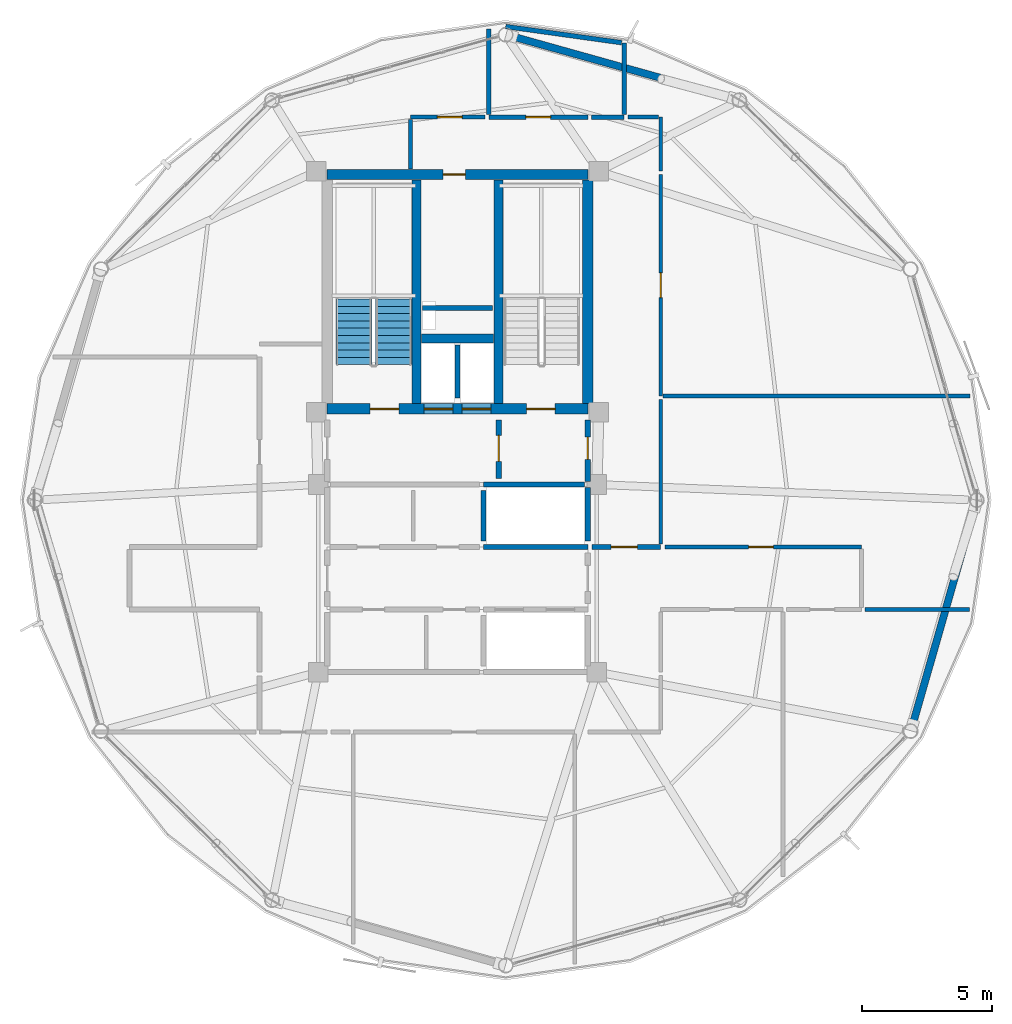
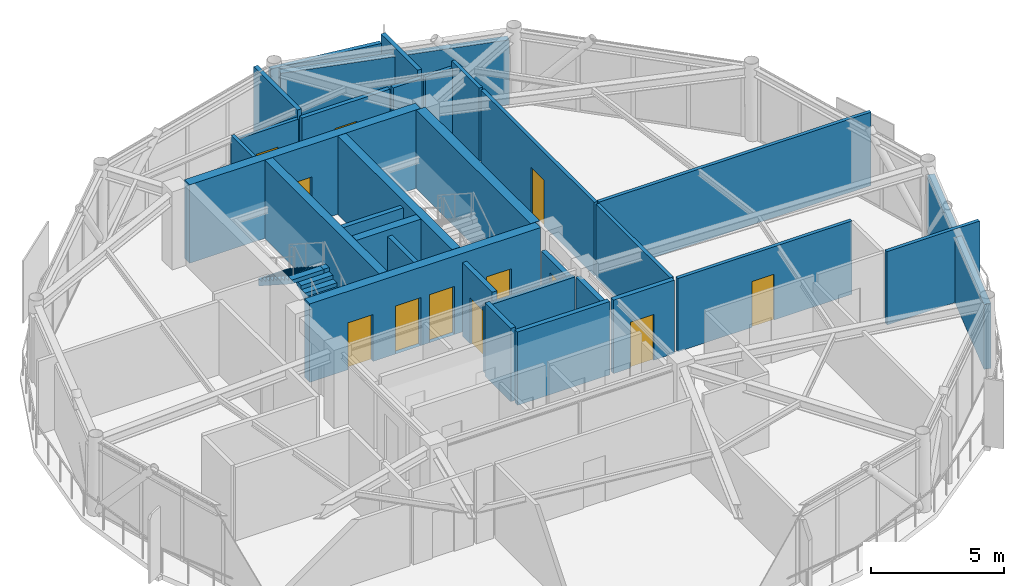
# One storey, part 21 of 26: 31 walls, 12 doors, 2 stair flights, 12 openings, 1 element without a shape of its own.
"""IFC4 building model written with IfcOpenShell, lengths in metres."""

import ifcopenshell
import ifcopenshell.guid

model = None  # the IFC model being written
_history = None  # IfcOwnerHistory: only IFC2X3 demands one
_inside = {}  # id of a spatial element -> (the spatial element, [elements in it])
_under = {}  # id of a project, library or spatial element -> (it, [spatial elements below it])
_declared = {}  # id of a project -> (the project, [libraries it declares])
_typed = {}  # id of a type object -> (the type object, [elements of that type])
_made_of = {}  # id of a material, layer set ... -> (it, [elements and type objects made of it])


def new_model(schema):
    """Start an empty IFC model of exactly this schema.

    Asked for "IFC4X3", IfcOpenShell would pick the latest addendum, in which some entities
    have other attributes; the version numbers below select the first issue.
    IFC2X3 requires an IfcOwnerHistory on every rooted entity: one is made here for all.
    """
    global model, _history
    if schema == "IFC4X3":
        model = ifcopenshell.file(schema_version=(4, 3, 0, 0))
    else:
        model = ifcopenshell.file(schema=schema)
    _inside.clear()
    _under.clear()
    _declared.clear()
    _typed.clear()
    _made_of.clear()
    _history = None
    if model.schema == "IFC2X3":
        org = make("IfcOrganization", Name="unknown")
        user = make(
            "IfcPersonAndOrganization",
            ThePerson=make("IfcPerson", FamilyName="unknown"),
            TheOrganization=org,
        )
        app = make(
            "IfcApplication",
            ApplicationDeveloper=org,
            Version="unknown",
            ApplicationFullName="unknown",
            ApplicationIdentifier="unknown",
        )
        _history = make(
            "IfcOwnerHistory",
            OwningUser=user,
            OwningApplication=app,
            ChangeAction="ADDED",
            CreationDate=0,
        )
    return model


def make(cls, **values):
    """One entity of the class cls with the attributes given. An attribute that is None is left unset."""
    return model.create_entity(
        cls, **{name: value for name, value in values.items() if value is not None}
    )


def rooted(cls, **values):
    """An entity with a GlobalId (a new one), such as an element, a storey or a relation."""
    return make(cls, GlobalId=ifcopenshell.guid.new(), OwnerHistory=_history, **values)


def si_unit(unit_type, name, prefix=None):
    """IfcSIUnit, for example si_unit("LENGTHUNIT", "METRE", prefix="MILLI")."""
    return make("IfcSIUnit", UnitType=unit_type, Prefix=prefix, Name=name)


def assignment(units):
    """IfcUnitAssignment: the units of a project."""
    return None if units is None else make("IfcUnitAssignment", Units=units)


def point(xyz):
    """IfcCartesianPoint."""
    return None if xyz is None else make("IfcCartesianPoint", Coordinates=xyz)


def direction(xyz):
    """IfcDirection."""
    return None if xyz is None else make("IfcDirection", DirectionRatios=xyz)


def frame(location, z_axis=None, x_axis=None):
    """IfcAxis2Placement3D, a coordinate frame: its origin and axes. An axis left out is left unset."""
    return make(
        "IfcAxis2Placement3D",
        Location=point(location),
        Axis=direction(z_axis),
        RefDirection=direction(x_axis),
    )


def frame_2d(location, x_axis=None):
    """IfcAxis2Placement2D, a coordinate frame in the plane: its origin and x axis."""
    return make(
        "IfcAxis2Placement2D", Location=point(location), RefDirection=direction(x_axis)
    )


def origin():
    """The frame at (0, 0, 0) with its axes left unset."""
    return frame((0.0, 0.0, 0.0))


def place(relative_to, where):
    """IfcLocalPlacement: puts the frame where relative to a parent placement (None: the world)."""
    return make(
        "IfcLocalPlacement", PlacementRelTo=relative_to, RelativePlacement=where
    )


def context(
    kind, dimensions, precision=None, world=None, true_north=None, identifier=None
):
    """IfcGeometricRepresentationContext, for example the 3D "Model" context."""
    return make(
        "IfcGeometricRepresentationContext",
        ContextIdentifier=identifier,
        ContextType=kind,
        CoordinateSpaceDimension=dimensions,
        Precision=precision,
        WorldCoordinateSystem=world,
        TrueNorth=true_north,
    )


def subcontext(parent, identifier, kind, view, scale=None):
    """IfcGeometricRepresentationSubContext, for example "Body" below "Model"."""
    return make(
        "IfcGeometricRepresentationSubContext",
        ContextIdentifier=identifier,
        ContextType=kind,
        ParentContext=parent,
        TargetScale=scale,
        TargetView=view,
    )


def project(units=None, contexts=None):
    """IfcProject with its units and contexts."""
    return rooted(
        "IfcProject",
        Name="project",
        RepresentationContexts=contexts,
        UnitsInContext=assignment(units),
    )


def spatial(cls, under=None, at=None, **own):
    """A site, building, storey or space (cls), placed at a placement, below another one or the project."""
    s = rooted(cls, ObjectPlacement=at, **own)
    if under is not None:
        _under.setdefault(under.id(), (under, []))[1].append(s)
    return s


def polyline(points):
    """IfcPolyline through the points."""
    return make("IfcPolyline", Points=[point(p) for p in points])


def profile(cls, at=None, kind="AREA", **sizes):
    """A parametric profile (cls). Its sizes go by their IFC names, for example OverallWidth=200.0."""
    return make(cls, ProfileType=kind, Position=at, **sizes)


def rectangle(**sizes):
    """IfcRectangleProfileDef."""
    return profile("IfcRectangleProfileDef", **sizes)


def outline(outer, holes=None, kind="AREA"):
    """IfcArbitraryClosedProfileDef: a profile drawn as a closed curve; with holes, ...WithVoids."""
    if holes is None:
        return make("IfcArbitraryClosedProfileDef", ProfileType=kind, OuterCurve=outer)
    return make(
        "IfcArbitraryProfileDefWithVoids",
        ProfileType=kind,
        OuterCurve=outer,
        InnerCurves=holes,
    )


def extrude(swept, where, along, depth):
    """IfcExtrudedAreaSolid: the profile swept, set in the frame where, extruded along a direction by depth."""
    return make(
        "IfcExtrudedAreaSolid",
        SweptArea=swept,
        Position=where,
        ExtrudedDirection=direction(along),
        Depth=depth,
    )


def shape(context_of_items, identifier, shape_type, items):
    """IfcShapeRepresentation: the items that make up one representation, for example the "Body"."""
    return make(
        "IfcShapeRepresentation",
        ContextOfItems=context_of_items,
        RepresentationIdentifier=identifier,
        RepresentationType=shape_type,
        Items=items,
    )


def material(Name=None, Category=None):
    """IfcMaterial."""
    return make("IfcMaterial", Name=Name, Category=Category)


def layer(
    of_material, thickness, ventilated=None, Name=None, Category=None, Priority=None
):
    """IfcMaterialLayer: one layer of a wall or slab, of a material (None: an air gap)."""
    return make(
        "IfcMaterialLayer",
        Material=of_material,
        LayerThickness=thickness,
        IsVentilated=ventilated,
        Name=Name,
        Category=Category,
        Priority=Priority,
    )


def layer_set(layers, Name=None):
    """IfcMaterialLayerSet."""
    return make("IfcMaterialLayerSet", MaterialLayers=layers, LayerSetName=Name)


def made_of(thing, what):
    """Note that an element or type object is made of a material, layer set ...; save() writes the relation."""
    if what is not None:
        _made_of.setdefault(what.id(), (what, []))[1].append(thing)
    return thing


def type_object(cls, material=None, **own):
    """A type object (cls), such as IfcWallType, which elements share."""
    return made_of(rooted(cls, **own), material)


def element(
    cls,
    number,
    at=None,
    inside=None,
    cuts=None,
    type_object=None,
    material=None,
    context=None,
    identifier="Body",
    shape_type=None,
    held_by="IfcProductDefinitionShape",
    body=None,
    shapes=None,
    **own,
):
    """One element of the class cls, such as IfcWall. Its Tag is "e" and its number.

    at: its placement. inside: the storey or other place that contains it. cuts: it is an
    opening in that element (IfcRelVoidsElement). A single representation is given by context,
    identifier, shape_type and body (its items); several are given by shapes. held_by: the class
    of the entity that holds the representations. save() writes the other relations.
    """
    e = rooted(cls, Tag="e%d" % number, ObjectPlacement=at, **own)
    if body is not None:
        shapes = [shape(context, identifier, shape_type, body)]
    if shapes is not None:
        e.Representation = make(held_by, Representations=shapes)
    if inside is not None:
        _inside.setdefault(inside.id(), (inside, []))[1].append(e)
    if cuts is not None:
        rooted(
            "IfcRelVoidsElement", RelatingBuildingElement=cuts, RelatedOpeningElement=e
        )
    if type_object is not None:
        _typed.setdefault(type_object.id(), (type_object, []))[1].append(e)
    return made_of(e, material)


def fill(opening, filler):
    """IfcRelFillsElement: the door or window that sits in an opening."""
    return rooted(
        "IfcRelFillsElement",
        RelatingOpeningElement=opening,
        RelatedBuildingElement=filler,
    )


def aggregate(whole, parts):
    """IfcRelAggregates: a whole, such as a stair, and the parts it consists of."""
    return rooted("IfcRelAggregates", RelatingObject=whole, RelatedObjects=parts)


def save(model, path):
    """Write the relations noted so far, then the file.

    IfcRelAggregates (storeys below a building ...), IfcRelContainedInSpatialStructure (elements
    in a storey), IfcRelDefinesByType, IfcRelAssociatesMaterial and IfcRelDeclares: one each for
    every whole, place, type object, material and project.
    """
    for whole, parts in _under.values():
        aggregate(whole, parts)
    for where, things in _inside.values():
        rooted(
            "IfcRelContainedInSpatialStructure",
            RelatedElements=things,
            RelatingStructure=where,
        )
    for kind, things in _typed.values():
        rooted("IfcRelDefinesByType", RelatedObjects=things, RelatingType=kind)
    for what, things in _made_of.values():
        rooted("IfcRelAssociatesMaterial", RelatedObjects=things, RelatingMaterial=what)
    for by, libraries in _declared.values():
        rooted("IfcRelDeclares", RelatingContext=by, RelatedDefinitions=libraries)
    model.write(path)


model = new_model("IFC4")

# Units and contexts
model_context = context("Model", 3, precision=1e-05, world=origin(), true_north=direction((0.0, 1.0)))
body_context = subcontext(model_context, "Body", "Model", "MODEL_VIEW")
ifc_project = project(units=[si_unit("LENGTHUNIT", "METRE"), si_unit("AREAUNIT", "SQUARE_METRE"), si_unit("VOLUMEUNIT", "CUBIC_METRE"), si_unit("PLANEANGLEUNIT", "RADIAN"), si_unit("MASSUNIT", "GRAM", prefix="KILO")], contexts=[model_context])

# Site, building, storey
site_placement = place(None, origin())
site = spatial("IfcSite", under=ifc_project, at=site_placement, CompositionType="ELEMENT")
building_placement = place(site_placement, origin())
building = spatial("IfcBuilding", under=site, at=building_placement, Name="Varnakorn Sky Granary", CompositionType="ELEMENT")
storey_placement = place(building_placement, frame((0.0, 0.0, 270.60009765625)))
storey = spatial("IfcBuildingStorey", under=building, at=storey_placement, Name="L69", CompositionType="ELEMENT", Elevation=270.60009765625)

# Walls
ifc_material_1 = material(Name="Concrete C50/60", Category="concrete")
ifc_layer_1 = layer(ifc_material_1, 0.35009765625, Name="Concrete C50/60")
ifc_layer_set_1 = layer_set([ifc_layer_1], Name="Concrete C50/60")
wall_type_1 = type_object("IfcWallType", Name="WT-CW-INT-350", PredefinedType="SHEAR", material=ifc_layer_set_1)
for number, where, z_axis, x_axis, name in (
    (1, (1.419921875, 3.7099609375, 0.0), (0.0, 0.0, 1.0), (0.0, 1.0, 0.0), "Stair ST-1 Core Wall L69"),
    (2, (4.580078125, 3.7099609375, 0.0), (0.0, 0.0, 1.0), (0.0, 1.0, 0.0), "Stair ST-2 Core Wall L69"),
):
    element("IfcWall", number, at=place(storey_placement, frame(where, z_axis=z_axis, x_axis=x_axis)), inside=storey, type_object=wall_type_1, Name=name, PredefinedType="SHEAR", context=body_context, shape_type="SweptSolid", body=[
        extrude(rectangle(XDim=8.580078125, YDim=0.35009765625, at=frame_2d((4.2900390625, 0.0))), origin(), (0.0, 0.0, 1.0), 3.591796875),
    ])
wall_1_placement = place(storey_placement, frame((1.610107421875, 6.199951171875, 0.0), z_axis=(0.0, 0.0, 1.0), x_axis=(1.0, 0.0, 0.0)))
element("IfcWall", 3, at=wall_1_placement, inside=storey, type_object=wall_type_1, Name="Core Lift Shaft Cross Wall L69", PredefinedType="SHEAR", context=body_context, shape_type="SweptSolid", body=[
    extrude(rectangle(XDim=2.77978515625, YDim=0.35009765625, at=frame_2d((1.389892578125, 0.0))), origin(), (0.0, 0.0, 1.0), 3.591796875),
])

# Wall, openings, doors
ifc_layer_2 = layer(ifc_material_1, 0.39990234375, Name="Concrete C50/60")
ifc_layer_set_2 = layer_set([ifc_layer_2], Name="Concrete C50/60")
wall_type_2 = type_object("IfcWallType", Name="WT-CW-SHEAR-400", PredefinedType="SHEAR", material=ifc_layer_set_2)
wall_2_placement = place(storey_placement, frame((-2.0, 3.5, 0.0), z_axis=(0.0, 0.0, 1.0), x_axis=(1.0, 0.0, 0.0)))
wall_2 = element("IfcWall", 4, at=wall_2_placement, inside=storey, type_object=wall_type_2, Name="Core South Shear Wall L69", PredefinedType="SHEAR", context=body_context, shape_type="SweptSolid", body=[
    extrude(rectangle(XDim=10.0, YDim=0.39990234375, at=frame_2d((5.0, 0.0))), origin(), (0.0, 0.0, 1.0), 3.591796875),
])
opening_1_placement = place(wall_2_placement, frame((1.64990234375, 0.0, 0.0)))
opening_1 = element("IfcOpeningElement", 5, at=opening_1_placement, cuts=wall_2, Name="Opening FD-90", PredefinedType="OPENING", context=body_context, shape_type="SweptSolid", body=[
    extrude(rectangle(XDim=1.10009765625, YDim=2.14990234375, at=frame_2d((0.550048828125, 1.074951171875))), frame((0.0, 0.2099609375, 0.0), z_axis=(0.0, -1.0, 0.0), x_axis=(1.0, 0.0, 0.0)), (0.0, 0.0, 1.0), 0.419921875),
])
opening_2_placement = place(wall_2_placement, frame((7.64990234375, 0.0, 0.0)))
opening_2 = element("IfcOpeningElement", 6, at=opening_2_placement, cuts=wall_2, Name="Opening FD-90", PredefinedType="OPENING", context=body_context, shape_type="SweptSolid", body=[
    extrude(rectangle(XDim=1.10009765625, YDim=2.14990234375, at=frame_2d((0.550048828125, 1.074951171875))), frame((0.0, 0.2099609375, 0.0), z_axis=(0.0, -1.0, 0.0), x_axis=(1.0, 0.0, 0.0)), (0.0, 0.0, 1.0), 0.419921875),
])
opening_3_placement = place(wall_2_placement, frame((3.719970703125, 0.0, 0.0)))
opening_3 = element("IfcOpeningElement", 7, at=opening_3_placement, cuts=wall_2, Name="Opening LD-01", PredefinedType="OPENING", context=body_context, shape_type="SweptSolid", body=[
    extrude(rectangle(XDim=1.10009765625, YDim=2.199951171875, at=frame_2d((0.550048828125, 1.10009765625))), frame((0.0, 0.2099609375, 0.0), z_axis=(0.0, -1.0, 0.0), x_axis=(1.0, 0.0, 0.0)), (0.0, 0.0, 1.0), 0.419921875),
])
opening_4_placement = place(wall_2_placement, frame((5.179931640625, 0.0, 0.0)))
opening_4 = element("IfcOpeningElement", 8, at=opening_4_placement, cuts=wall_2, Name="Opening LD-01", PredefinedType="OPENING", context=body_context, shape_type="SweptSolid", body=[
    extrude(rectangle(XDim=1.10009765625, YDim=2.199951171875, at=frame_2d((0.550048828125, 1.10009765625))), frame((0.0, 0.2099609375, 0.0), z_axis=(0.0, -1.0, 0.0), x_axis=(1.0, 0.0, 0.0)), (0.0, 0.0, 1.0), 0.419921875),
])
ifc_material_2 = material(Name="Brushed Bronze Stainless Steel", Category="steel")
door_type_1 = type_object("IfcDoorType", Name="DR-LD-1100", OperationType="DOUBLE_DOOR_SLIDING", PredefinedType="DOOR", material=ifc_material_2)
door_1_placement = place(opening_3_placement, origin())
door_1 = element("IfcDoor", 9, at=door_1_placement, inside=storey, type_object=door_type_1, Name="Firefighting Lift FFL-1 Landing Door L69", OperationType="DOUBLE_DOOR_SLIDING", OverallHeight=2.199951171875, OverallWidth=1.10009765625, PredefinedType="DOOR", context=body_context, shape_type="SweptSolid", body=[
    extrude(rectangle(XDim=1.10009765625, YDim=2.199951171875, at=frame_2d((0.550048828125, 1.10009765625))), frame((0.0, 0.02490234375, 0.0), z_axis=(0.0, -1.0, 0.0), x_axis=(1.0, 0.0, 0.0)), (0.0, 0.0, 1.0), 0.050048828125),
])
fill(opening_3, door_1)
door_2_placement = place(opening_4_placement, origin())
door_2 = element("IfcDoor", 10, at=door_2_placement, inside=storey, type_object=door_type_1, Name="Firefighting Lift FFL-2 Landing Door L69", OperationType="DOUBLE_DOOR_SLIDING", OverallHeight=2.199951171875, OverallWidth=1.10009765625, PredefinedType="DOOR", context=body_context, shape_type="SweptSolid", body=[
    extrude(rectangle(XDim=1.10009765625, YDim=2.199951171875, at=frame_2d((0.550048828125, 1.10009765625))), frame((0.0, 0.02490234375, 0.0), z_axis=(0.0, -1.0, 0.0), x_axis=(1.0, 0.0, 0.0)), (0.0, 0.0, 1.0), 0.050048828125),
])
fill(opening_4, door_2)
ifc_material_3 = material(Name="Galvanised Painted Steel Leaf", Category="steel")
door_type_2 = type_object("IfcDoorType", Name="DR-STAIR-1100", OperationType="NOTDEFINED", PredefinedType="DOOR", material=ifc_material_3)
door_3_placement = place(opening_1_placement, origin())
door_3 = element("IfcDoor", 11, at=door_3_placement, inside=storey, type_object=door_type_2, Name="Stair ST-1 Protected Fire Door L69", OperationType="SINGLE_SWING_LEFT", OverallHeight=2.14990234375, OverallWidth=1.10009765625, PredefinedType="DOOR", context=body_context, shape_type="SweptSolid", body=[
    extrude(rectangle(XDim=1.10009765625, YDim=2.14990234375, at=frame_2d((0.550048828125, 1.074951171875))), frame((0.0, 0.02490234375, 0.0), z_axis=(0.0, -1.0, 0.0), x_axis=(1.0, 0.0, 0.0)), (0.0, 0.0, 1.0), 0.050048828125),
])
fill(opening_1, door_3)
door_4_placement = place(opening_2_placement, origin())
door_4 = element("IfcDoor", 12, at=door_4_placement, inside=storey, type_object=door_type_2, Name="Stair ST-2 Protected Fire Door L69", OperationType="SINGLE_SWING_RIGHT", OverallHeight=2.14990234375, OverallWidth=1.10009765625, PredefinedType="DOOR", context=body_context, shape_type="SweptSolid", body=[
    extrude(rectangle(XDim=1.10009765625, YDim=2.14990234375, at=frame_2d((0.550048828125, 1.074951171875))), frame((0.0, 0.02490234375, 0.0), z_axis=(0.0, -1.0, 0.0), x_axis=(1.0, 0.0, 0.0)), (0.0, 0.0, 1.0), 0.050048828125),
])
fill(opening_2, door_4)

# Wall, opening, door
wall_3_placement = place(storey_placement, frame((-2.0, 12.5, 0.0), z_axis=(0.0, 0.0, 1.0), x_axis=(1.0, 0.0, 0.0)))
wall_3 = element("IfcWall", 13, at=wall_3_placement, inside=storey, type_object=wall_type_2, Name="Core North Shear Wall L69", PredefinedType="SHEAR", context=body_context, shape_type="SweptSolid", body=[
    extrude(rectangle(XDim=10.0, YDim=0.39990234375, at=frame_2d((5.0, 0.0))), origin(), (0.0, 0.0, 1.0), 3.591796875),
])
opening_5_placement = place(wall_3_placement, frame((4.449951171875, 0.0, 0.0)))
opening_5 = element("IfcOpeningElement", 14, at=opening_5_placement, cuts=wall_3, Name="Opening FD-60N", PredefinedType="OPENING", context=body_context, shape_type="SweptSolid", body=[
    extrude(rectangle(XDim=0.85009765625, YDim=2.10009765625, at=frame_2d((0.425048828125, 1.050048828125))), frame((0.0, 0.2099609375, 0.0), z_axis=(0.0, -1.0, 0.0), x_axis=(1.0, 0.0, 0.0)), (0.0, 0.0, 1.0), 0.419921875),
])
ifc_material_4 = material(Name="Acoustic Timber Fire Leaf", Category="wood")
door_type_3 = type_object("IfcDoorType", Name="DR-FD60-850", OperationType="NOTDEFINED", PredefinedType="DOOR", material=ifc_material_4)
door_5_placement = place(opening_5_placement, origin())
door_5 = element("IfcDoor", 15, at=door_5_placement, inside=storey, type_object=door_type_3, Name="Core North Service Door L69", OperationType="SINGLE_SWING_LEFT", OverallHeight=2.10009765625, OverallWidth=0.85009765625, PredefinedType="DOOR", context=body_context, shape_type="SweptSolid", body=[
    extrude(rectangle(XDim=0.85009765625, YDim=2.10009765625, at=frame_2d((0.425048828125, 1.050048828125))), frame((0.0, 0.02490234375, 0.0), z_axis=(0.0, -1.0, 0.0), x_axis=(1.0, 0.0, 0.0)), (0.0, 0.0, 1.0), 0.050048828125),
])
fill(opening_5, door_5)

# Walls
wall_4_placement = place(storey_placement, frame((8.0, 3.7099609375, 0.0), z_axis=(0.0, 0.0, 1.0), x_axis=(0.0, 1.0, 0.0)))
element("IfcWall", 16, at=wall_4_placement, inside=storey, type_object=wall_type_2, Name="Core East Shear Wall L69", PredefinedType="SHEAR", context=body_context, shape_type="SweptSolid", body=[
    extrude(rectangle(XDim=8.580078125, YDim=0.39990234375, at=frame_2d((4.2900390625, 0.0))), origin(), (0.0, 0.0, 1.0), 3.591796875),
])
ifc_material_5 = material(Name="Precast concrete C40/50", Category="concrete")
ifc_layer_3 = layer(ifc_material_5, 0.280029296875, Name="Precast concrete C40/50")
ifc_layer_set_3 = layer_set([ifc_layer_3], Name="Precast concrete C40/50")
wall_type_3 = type_object("IfcWallType", Name="WT-EW-CRN-280", PredefinedType="SOLIDWALL", material=ifc_layer_set_3)
wall_5_placement = place(storey_placement, frame((5.07568359375, 17.805908203125, 0.0), z_axis=(0.0, 0.0, 1.0), x_axis=(0.963041884558, -0.269351681982, 0.0)))
element("IfcWall", 17, at=wall_5_placement, inside=storey, type_object=wall_type_3, Name="Agritech Insulated Precast Facade Wall L69-P03", PredefinedType="SOLIDWALL", context=body_context, shape_type="SweptSolid", body=[
    extrude(rectangle(XDim=8.852783203125, YDim=0.280029296875, at=frame_2d((4.42626953125, 0.0))), origin(), (0.0, 0.0, 1.0), 2.969970703125),
])
wall_6_placement = place(storey_placement, frame((22.87451171875, -0.225341796875, 0.0), z_axis=(0.0, 0.0, 1.0), x_axis=(-0.275431887564, -0.961320589248, 0.0)))
element("IfcWall", 18, at=wall_6_placement, inside=storey, type_object=wall_type_3, Name="Agritech Insulated Precast Facade Wall L69-P12", PredefinedType="SOLIDWALL", context=body_context, shape_type="SweptSolid", body=[
    extrude(rectangle(XDim=8.7548828125, YDim=0.280029296875, at=frame_2d((4.37744140625, 0.0))), origin(), (0.0, 0.0, 1.0), 2.969970703125),
])

# Wall, opening, door
ifc_material_6 = material(Name="Autoclaved Aerated Concrete Blockwork", Category="masonry")
ifc_layer_4 = layer(ifc_material_6, 0.199951171875, Name="Autoclaved Aerated Concrete Blockwork")
ifc_layer_set_4 = layer_set([ifc_layer_4], Name="Autoclaved Aerated Concrete Blockwork")
wall_type_4 = type_object("IfcWallType", Name="WT-FIRE-200", PredefinedType="MOVABLE", material=ifc_layer_set_4)
wall_7_placement = place(storey_placement, frame((4.580078125, 0.830078125, 0.0), z_axis=(0.0, 0.0, 1.0), x_axis=(0.0, 1.0, 0.0)))
wall_7 = element("IfcWall", 19, at=wall_7_placement, inside=storey, type_object=wall_type_4, Name="Interior Partition Wall L69-011", PredefinedType="MOVABLE", context=body_context, shape_type="SweptSolid", body=[
    extrude(rectangle(XDim=2.239990234375, YDim=0.199951171875, at=frame_2d((1.1201171875, 0.0))), origin(), (0.0, 0.0, 1.0), 3.35986328125),
])
opening_6_placement = place(wall_7_placement, frame((0.659912109375, 0.0, 0.0)))
opening_6 = element("IfcOpeningElement", 20, at=opening_6_placement, cuts=wall_7, Name="Opening FD-60", PredefinedType="OPENING", context=body_context, shape_type="SweptSolid", body=[
    extrude(rectangle(XDim=1.0, YDim=2.10009765625, at=frame_2d((0.5, 1.050048828125))), frame((0.0, 0.10986328125, 0.0), z_axis=(0.0, -1.0, 0.0), x_axis=(1.0, 0.0, 0.0)), (0.0, 0.0, 1.0), 0.219970703125),
])
door_type_4 = type_object("IfcDoorType", Name="DR-FD60-1000", OperationType="NOTDEFINED", PredefinedType="DOOR", material=ifc_material_4)
door_6_placement = place(opening_6_placement, origin())
door_6 = element("IfcDoor", 21, at=door_6_placement, inside=storey, type_object=door_type_4, Name="Interior Door L69-011-1", OperationType="SINGLE_SWING_LEFT", OverallHeight=2.10009765625, OverallWidth=1.0, PredefinedType="DOOR", context=body_context, shape_type="SweptSolid", body=[
    extrude(rectangle(XDim=1.0, YDim=2.10009765625, at=frame_2d((0.5, 1.050048828125))), frame((0.0, 0.02490234375, 0.0), z_axis=(0.0, -1.0, 0.0), x_axis=(1.0, 0.0, 0.0)), (0.0, 0.0, 1.0), 0.050048828125),
])
fill(opening_6, door_6)

wall_8_placement = place(storey_placement, frame((8.0, 0.719970703125, 0.0), z_axis=(0.0, 0.0, 1.0), x_axis=(0.0, 1.0, 0.0)))
wall_8 = element("IfcWall", 22, at=wall_8_placement, inside=storey, type_object=wall_type_4, Name="Interior Partition Wall L69-013", PredefinedType="MOVABLE", context=body_context, shape_type="SweptSolid", body=[
    extrude(rectangle(XDim=2.35009765625, YDim=0.199951171875, at=frame_2d((1.175048828125, 0.0))), origin(), (0.0, 0.0, 1.0), 2.69189453125),
])
opening_7_placement = place(wall_8_placement, frame((0.844970703125, 0.0, 0.0)))
opening_7 = element("IfcOpeningElement", 23, at=opening_7_placement, cuts=wall_8, Name="Opening FD-60N", PredefinedType="OPENING", context=body_context, shape_type="SweptSolid", body=[
    extrude(rectangle(XDim=0.85009765625, YDim=2.10009765625, at=frame_2d((0.425048828125, 1.050048828125))), frame((0.0, 0.10986328125, 0.0), z_axis=(0.0, -1.0, 0.0), x_axis=(1.0, 0.0, 0.0)), (0.0, 0.0, 1.0), 0.219970703125),
])
door_7_placement = place(opening_7_placement, origin())
door_7 = element("IfcDoor", 24, at=door_7_placement, inside=storey, type_object=door_type_3, Name="Interior Door L69-013-1", OperationType="SINGLE_SWING_LEFT", OverallHeight=2.10009765625, OverallWidth=0.85009765625, PredefinedType="DOOR", context=body_context, shape_type="SweptSolid", body=[
    extrude(rectangle(XDim=0.85009765625, YDim=2.10009765625, at=frame_2d((0.425048828125, 1.050048828125))), frame((0.0, 0.02490234375, 0.0), z_axis=(0.0, -1.0, 0.0), x_axis=(1.0, 0.0, 0.0)), (0.0, 0.0, 1.0), 0.050048828125),
])
fill(opening_7, door_7)

wall_9_placement = place(storey_placement, frame((8.159912109375, -1.800048828125, 0.0), z_axis=(0.0, 0.0, 1.0), x_axis=(1.0, 0.0, 0.0)))
wall_9 = element("IfcWall", 25, at=wall_9_placement, inside=storey, type_object=wall_type_4, Name="Interior Partition Wall L69-018", PredefinedType="MOVABLE", context=body_context, shape_type="SweptSolid", body=[
    extrude(rectangle(XDim=2.64013671875, YDim=0.199951171875, at=frame_2d((1.320068359375, 0.0))), origin(), (0.0, 0.0, 1.0), 3.35986328125),
])
opening_8_placement = place(wall_9_placement, frame((0.739990234375, 0.0, 0.0)))
opening_8 = element("IfcOpeningElement", 26, at=opening_8_placement, cuts=wall_9, Name="Opening FD-60", PredefinedType="OPENING", context=body_context, shape_type="SweptSolid", body=[
    extrude(rectangle(XDim=1.0, YDim=2.10009765625, at=frame_2d((0.5, 1.050048828125))), frame((0.0, 0.10986328125, 0.0), z_axis=(0.0, -1.0, 0.0), x_axis=(1.0, 0.0, 0.0)), (0.0, 0.0, 1.0), 0.219970703125),
])
door_8_placement = place(opening_8_placement, origin())
door_8 = element("IfcDoor", 27, at=door_8_placement, inside=storey, type_object=door_type_4, Name="Interior Door L69-018-1", OperationType="SINGLE_SWING_RIGHT", OverallHeight=2.10009765625, OverallWidth=1.0, PredefinedType="DOOR", context=body_context, shape_type="SweptSolid", body=[
    extrude(rectangle(XDim=1.0, YDim=2.10009765625, at=frame_2d((0.5, 1.050048828125))), frame((0.0, 0.02490234375, 0.0), z_axis=(0.0, -1.0, 0.0), x_axis=(1.0, 0.0, 0.0)), (0.0, 0.0, 1.0), 0.050048828125),
])
fill(opening_8, door_8)

ifc_material_7 = material(Name="Gypsum Plasterboard on Steel Stud", Category="steel")
ifc_layer_5 = layer(ifc_material_7, 0.14990234375, Name="Gypsum Plasterboard on Steel Stud")
ifc_layer_set_5 = layer_set([ifc_layer_5], Name="Gypsum Plasterboard on Steel Stud")
wall_type_5 = type_object("IfcWallType", Name="WT-PART-150", PredefinedType="PARTITIONING", material=ifc_layer_set_5)
wall_10_placement = place(storey_placement, frame((4.050048828125, 14.699951171875, 0.0), z_axis=(0.0, 0.0, 1.0), x_axis=(-1.0, 0.0, 0.0)))
wall_10 = element("IfcWall", 28, at=wall_10_placement, inside=storey, type_object=wall_type_5, Name="Interior Partition Wall L69-025", PredefinedType="PARTITIONING", context=body_context, shape_type="SweptSolid", body=[
    extrude(rectangle(XDim=2.85009765625, YDim=0.14990234375, at=frame_2d((1.425048828125, 0.0))), origin(), (0.0, 0.0, 1.0), 3.072021484375),
])
opening_9_placement = place(wall_10_placement, frame((0.875, 0.0, 0.0)))
opening_9 = element("IfcOpeningElement", 29, at=opening_9_placement, cuts=wall_10, Name="Opening ID-95", PredefinedType="OPENING", context=body_context, shape_type="SweptSolid", body=[
    extrude(rectangle(XDim=0.949951171875, YDim=2.10009765625, at=frame_2d((0.47509765625, 1.050048828125))), frame((0.0, 0.0849609375, 0.0), z_axis=(0.0, -1.0, 0.0), x_axis=(1.0, 0.0, 0.0)), (0.0, 0.0, 1.0), 0.169921875),
])
ifc_material_8 = material(Name="Solid-Core Teak Veneer Leaf", Category="timber")
door_type_5 = type_object("IfcDoorType", Name="DR-INT-950", OperationType="NOTDEFINED", PredefinedType="DOOR", material=ifc_material_8)
door_9_placement = place(opening_9_placement, origin())
door_9 = element("IfcDoor", 30, at=door_9_placement, inside=storey, type_object=door_type_5, Name="Interior Door L69-025-1", OperationType="SINGLE_SWING_LEFT", OverallHeight=2.10009765625, OverallWidth=0.949951171875, PredefinedType="DOOR", context=body_context, shape_type="SweptSolid", body=[
    extrude(rectangle(XDim=0.949951171875, YDim=2.10009765625, at=frame_2d((0.47509765625, 1.050048828125))), frame((0.0, 0.02490234375, 0.0), z_axis=(0.0, -1.0, 0.0), x_axis=(1.0, 0.0, 0.0)), (0.0, 0.0, 1.0), 0.050048828125),
])
fill(opening_9, door_9)

wall_11_placement = place(storey_placement, frame((18.5, -1.800048828125, 0.0), z_axis=(0.0, 0.0, 1.0), x_axis=(-1.0, 0.0, 0.0)))
wall_11 = element("IfcWall", 31, at=wall_11_placement, inside=storey, type_object=wall_type_5, Name="Interior Partition Wall L69-026", PredefinedType="PARTITIONING", context=body_context, shape_type="SweptSolid", body=[
    extrude(rectangle(XDim=7.5400390625, YDim=0.14990234375, at=frame_2d((3.77001953125, 0.0))), origin(), (0.0, 0.0, 1.0), 3.35986328125),
])
opening_10_placement = place(wall_11_placement, frame((3.375, 0.0, 0.0)))
opening_10 = element("IfcOpeningElement", 32, at=opening_10_placement, cuts=wall_11, Name="Opening ID-95", PredefinedType="OPENING", context=body_context, shape_type="SweptSolid", body=[
    extrude(rectangle(XDim=0.949951171875, YDim=2.10009765625, at=frame_2d((0.47509765625, 1.050048828125))), frame((0.0, 0.0849609375, 0.0), z_axis=(0.0, -1.0, 0.0), x_axis=(1.0, 0.0, 0.0)), (0.0, 0.0, 1.0), 0.169921875),
])
door_10_placement = place(opening_10_placement, origin())
door_10 = element("IfcDoor", 33, at=door_10_placement, inside=storey, type_object=door_type_5, Name="Interior Door L69-026-1", OperationType="SINGLE_SWING_RIGHT", OverallHeight=2.10009765625, OverallWidth=0.949951171875, PredefinedType="DOOR", context=body_context, shape_type="SweptSolid", body=[
    extrude(rectangle(XDim=0.949951171875, YDim=2.10009765625, at=frame_2d((0.47509765625, 1.050048828125))), frame((0.0, 0.02490234375, 0.0), z_axis=(0.0, -1.0, 0.0), x_axis=(1.0, 0.0, 0.0)), (0.0, 0.0, 1.0), 0.050048828125),
])
fill(opening_10, door_10)

wall_12_placement = place(storey_placement, frame((10.800048828125, 4.0, 0.0), z_axis=(0.0, 0.0, 1.0), x_axis=(0.0, 1.0, 0.0)))
wall_12 = element("IfcWall", 34, at=wall_12_placement, inside=storey, type_object=wall_type_5, Name="Interior Partition Wall L69-027", PredefinedType="PARTITIONING", context=body_context, shape_type="SweptSolid", body=[
    extrude(rectangle(XDim=8.5, YDim=0.14990234375, at=frame_2d((4.25, 0.0))), origin(), (0.0, 0.0, 1.0), 3.35986328125),
])
opening_11_placement = place(wall_12_placement, frame((3.77490234375, 0.0, 0.0)))
opening_11 = element("IfcOpeningElement", 35, at=opening_11_placement, cuts=wall_12, Name="Opening ID-95", PredefinedType="OPENING", context=body_context, shape_type="SweptSolid", body=[
    extrude(rectangle(XDim=0.949951171875, YDim=2.10009765625, at=frame_2d((0.47509765625, 1.050048828125))), frame((0.0, 0.0849609375, 0.0), z_axis=(0.0, -1.0, 0.0), x_axis=(1.0, 0.0, 0.0)), (0.0, 0.0, 1.0), 0.169921875),
])
door_11_placement = place(opening_11_placement, origin())
door_11 = element("IfcDoor", 36, at=door_11_placement, inside=storey, type_object=door_type_5, Name="Interior Door L69-027-1", OperationType="SINGLE_SWING_LEFT", OverallHeight=2.10009765625, OverallWidth=0.949951171875, PredefinedType="DOOR", context=body_context, shape_type="SweptSolid", body=[
    extrude(rectangle(XDim=0.949951171875, YDim=2.10009765625, at=frame_2d((0.47509765625, 1.050048828125))), frame((0.0, 0.02490234375, 0.0), z_axis=(0.0, -1.0, 0.0), x_axis=(1.0, 0.0, 0.0)), (0.0, 0.0, 1.0), 0.050048828125),
])
fill(opening_11, door_11)

# Walls
wall_13_placement = place(storey_placement, frame((18.635009765625, -4.199951171875, 0.0), z_axis=(0.0, 0.0, 1.0), x_axis=(1.0, 0.0, 0.0)))
element("IfcWall", 37, at=wall_13_placement, inside=storey, type_object=wall_type_5, Name="Interior Partition Wall L69-043", PredefinedType="PARTITIONING", context=body_context, shape_type="SweptSolid", body=[
    extrude(rectangle(XDim=4.013916015625, YDim=0.14990234375, at=frame_2d((2.0068359375, 0.0))), origin(), (0.0, 0.0, 1.0), 3.35986328125),
])
wall_14_placement = place(storey_placement, frame((1.199951171875, 14.614990234375, 0.0), z_axis=(0.0, 0.0, 1.0), x_axis=(0.0, -1.0, 0.0)))
element("IfcWall", 38, at=wall_14_placement, inside=storey, type_object=wall_type_5, Name="Interior Partition Wall L69-050", PredefinedType="PARTITIONING", context=body_context, shape_type="SweptSolid", body=[
    extrude(rectangle(XDim=1.905029296875, YDim=0.14990234375, at=frame_2d((0.95263671875, 0.0))), origin(), (0.0, 0.0, 1.0), 3.35986328125),
])
wall_15_placement = place(storey_placement, frame((10.800048828125, -1.68994140625, 0.0), z_axis=(0.0, 0.0, 1.0), x_axis=(0.0, 1.0, 0.0)))
element("IfcWall", 39, at=wall_15_placement, inside=storey, type_object=wall_type_5, Name="Interior Partition Wall L69-054", PredefinedType="PARTITIONING", context=body_context, shape_type="SweptSolid", body=[
    extrude(rectangle(XDim=5.554931640625, YDim=0.14990234375, at=frame_2d((2.77734375, 0.0))), origin(), (0.0, 0.0, 1.0), 3.35986328125),
])
wall_16_placement = place(storey_placement, frame((10.885009765625, 4.0, 0.0), z_axis=(0.0, 0.0, 1.0), x_axis=(1.0, 0.0, 0.0)))
element("IfcWall", 40, at=wall_16_placement, inside=storey, type_object=wall_type_5, Name="Interior Partition Wall L69-055", PredefinedType="PARTITIONING", context=body_context, shape_type="SweptSolid", body=[
    extrude(rectangle(XDim=11.79296875, YDim=0.14990234375, at=frame_2d((5.896484375, 0.0))), origin(), (0.0, 0.0, 1.0), 3.35986328125),
])
wall_17_placement = place(storey_placement, frame((10.800048828125, 12.635009765625, 0.0), z_axis=(0.0, 0.0, 1.0), x_axis=(0.0, 1.0, 0.0)))
element("IfcWall", 41, at=wall_17_placement, inside=storey, type_object=wall_type_5, Name="Interior Partition Wall L69-056", PredefinedType="PARTITIONING", context=body_context, shape_type="SweptSolid", body=[
    extrude(rectangle(XDim=2.06494140625, YDim=0.14990234375, at=frame_2d((1.032470703125, 0.0))), origin(), (0.0, 0.0, 1.0), 3.35986328125),
])
wall_18_placement = place(storey_placement, frame((10.715087890625, 14.699951171875, 0.0), z_axis=(0.0, 0.0, 1.0), x_axis=(-1.0, 0.0, 0.0)))
element("IfcWall", 42, at=wall_18_placement, inside=storey, type_object=wall_type_5, Name="Interior Partition Wall L69-057", PredefinedType="PARTITIONING", context=body_context, shape_type="SweptSolid", body=[
    extrude(rectangle(XDim=1.1650390625, YDim=0.14990234375, at=frame_2d((0.58251953125, 0.0))), origin(), (0.0, 0.0, 1.0), 3.072021484375),
])

# Wall, opening, door
ifc_material_9 = material(Name="Moisture-Resistant Gypsum on Stud", Category="gypsum")
ifc_layer_6 = layer(ifc_material_9, 0.179931640625, Name="Moisture-Resistant Gypsum on Stud")
ifc_layer_set_6 = layer_set([ifc_layer_6], Name="Moisture-Resistant Gypsum on Stud")
wall_type_6 = type_object("IfcWallType", Name="WT-PLUMB-180", PredefinedType="PLUMBINGWALL", material=ifc_layer_set_6)
wall_19_placement = place(storey_placement, frame((8.0, 14.699951171875, 0.0), z_axis=(0.0, 0.0, 1.0), x_axis=(-1.0, 0.0, 0.0)))
wall_19 = element("IfcWall", 43, at=wall_19_placement, inside=storey, type_object=wall_type_6, Name="Interior Partition Wall L69-019", PredefinedType="PLUMBINGWALL", context=body_context, shape_type="SweptSolid", body=[
    extrude(rectangle(XDim=3.800048828125, YDim=0.179931640625, at=frame_2d((1.89990234375, 0.0))), origin(), (0.0, 0.0, 1.0), 3.072021484375),
])
opening_12_placement = place(wall_19_placement, frame((1.425048828125, 0.0, 0.0)))
opening_12 = element("IfcOpeningElement", 44, at=opening_12_placement, cuts=wall_19, Name="Opening ID-95", PredefinedType="OPENING", context=body_context, shape_type="SweptSolid", body=[
    extrude(rectangle(XDim=0.949951171875, YDim=2.10009765625, at=frame_2d((0.47509765625, 1.050048828125))), frame((0.0, 0.10009765625, 0.0), z_axis=(0.0, -1.0, 0.0), x_axis=(1.0, 0.0, 0.0)), (0.0, 0.0, 1.0), 0.199951171875),
])
door_12_placement = place(opening_12_placement, origin())
door_12 = element("IfcDoor", 45, at=door_12_placement, inside=storey, type_object=door_type_5, Name="Interior Door L69-019-1", OperationType="SINGLE_SWING_LEFT", OverallHeight=2.10009765625, OverallWidth=0.949951171875, PredefinedType="DOOR", context=body_context, shape_type="SweptSolid", body=[
    extrude(rectangle(XDim=0.949951171875, YDim=2.10009765625, at=frame_2d((0.47509765625, 1.050048828125))), frame((0.0, 0.02490234375, 0.0), z_axis=(0.0, -1.0, 0.0), x_axis=(1.0, 0.0, 0.0)), (0.0, 0.0, 1.0), 0.050048828125),
])
fill(opening_12, door_12)

# Walls
wall_20_placement = place(storey_placement, frame((9.39990234375, 14.699951171875, 0.0), z_axis=(0.0, 0.0, 1.0), x_axis=(-1.0, 0.0, 0.0)))
element("IfcWall", 46, at=wall_20_placement, inside=storey, type_object=wall_type_6, Name="Interior Partition Wall L69-034", PredefinedType="PLUMBINGWALL", context=body_context, shape_type="SweptSolid", body=[
    extrude(rectangle(XDim=1.25, YDim=0.179931640625, at=frame_2d((0.625, 0.0))), origin(), (0.0, 0.0, 1.0), 3.072021484375),
])
wall_21_placement = place(storey_placement, frame((4.199951171875, 18.087890625, 0.0), z_axis=(0.0, 0.0, 1.0), x_axis=(0.0, -1.0, 0.0)))
element("IfcWall", 47, at=wall_21_placement, inside=storey, type_object=wall_type_6, Name="Interior Partition Wall L69-052", PredefinedType="PLUMBINGWALL", context=body_context, shape_type="SweptSolid", body=[
    extrude(rectangle(XDim=3.287841796875, YDim=0.179931640625, at=frame_2d((1.64404296875, 0.0))), origin(), (0.0, 0.0, 1.0), 3.35986328125),
])
wall_22_placement = place(storey_placement, frame((9.39990234375, 14.800048828125, 0.0), z_axis=(0.0, 0.0, 1.0), x_axis=(0.0, 1.0, 0.0)))
element("IfcWall", 48, at=wall_22_placement, inside=storey, type_object=wall_type_6, Name="Interior Partition Wall L69-058", PredefinedType="PLUMBINGWALL", context=body_context, shape_type="SweptSolid", body=[
    extrude(rectangle(XDim=2.743896484375, YDim=0.179931640625, at=frame_2d((1.3720703125, 0.0))), origin(), (0.0, 0.0, 1.0), 3.35986328125),
])
wall_23_placement = place(storey_placement, frame((9.301025390625, 17.55810546875, 0.0), z_axis=(0.0, 0.0, 1.0), x_axis=(-0.990411292341, 0.138150179169, 0.0)))
element("IfcWall", 49, at=wall_23_placement, inside=storey, type_object=wall_type_6, Name="Interior Partition Wall L69-059", PredefinedType="PLUMBINGWALL", context=body_context, shape_type="SweptSolid", body=[
    extrude(rectangle(XDim=4.494140625, YDim=0.179931640625, at=frame_2d((2.2470703125, 0.0))), origin(), (0.0, 0.0, 1.0), 2.98193359375),
])
ifc_layer_7 = layer(ifc_material_6, 0.199951171875, Name="Autoclaved Aerated Concrete Blockwork")
ifc_layer_set_7 = layer_set([ifc_layer_7], Name="Autoclaved Aerated Concrete Blockwork")
wall_type_7 = type_object("IfcWallType", Name="WT-SHAFT-200", PredefinedType="SOLIDWALL", material=ifc_layer_set_7)
wall_24_placement = place(storey_placement, frame((3.0, 3.919921875, 0.0), z_axis=(0.0, 0.0, 1.0), x_axis=(0.0, 1.0, 0.0)))
element("IfcWall", 50, at=wall_24_placement, inside=storey, type_object=wall_type_7, Name="Interior Partition Wall L69-001", PredefinedType="SOLIDWALL", context=body_context, shape_type="SweptSolid", body=[
    extrude(rectangle(XDim=2.030029296875, YDim=0.199951171875, at=frame_2d((1.01513671875, 0.0))), origin(), (0.0, 0.0, 1.0), 3.35986328125),
])
wall_25_placement = place(storey_placement, frame((1.64990234375, 7.3798828125, 0.0), z_axis=(0.0, 0.0, 1.0), x_axis=(1.0, 0.0, 0.0)))
element("IfcWall", 51, at=wall_25_placement, inside=storey, type_object=wall_type_7, Name="Interior Partition Wall L69-002", PredefinedType="SOLIDWALL", context=body_context, shape_type="SweptSolid", body=[
    extrude(rectangle(XDim=2.7001953125, YDim=0.199951171875, at=frame_2d((1.35009765625, 0.0))), origin(), (0.0, 0.0, 1.0), 3.35986328125),
])
wall_26_placement = place(storey_placement, frame((4.0, 0.60009765625, 0.0), z_axis=(0.0, 0.0, 1.0), x_axis=(1.0, 0.0, 0.0)))
element("IfcWall", 52, at=wall_26_placement, inside=storey, type_object=wall_type_7, Name="Interior Partition Wall L69-003", PredefinedType="SOLIDWALL", context=body_context, shape_type="SweptSolid", body=[
    extrude(rectangle(XDim=3.8798828125, YDim=0.199951171875, at=frame_2d((1.93994140625, 0.0))), origin(), (0.0, 0.0, 1.0), 3.072021484375),
])
wall_27_placement = place(storey_placement, frame((4.0, -1.800048828125, 0.0), z_axis=(0.0, 0.0, 1.0), x_axis=(1.0, 0.0, 0.0)))
element("IfcWall", 53, at=wall_27_placement, inside=storey, type_object=wall_type_7, Name="Interior Partition Wall L69-004", PredefinedType="SOLIDWALL", context=body_context, shape_type="SweptSolid", body=[
    extrude(rectangle(XDim=4.0, YDim=0.199951171875, at=frame_2d((2.0, 0.0))), origin(), (0.0, 0.0, 1.0), 3.35986328125),
])
wall_28_placement = place(storey_placement, frame((4.0, -1.570068359375, 0.0), z_axis=(0.0, 0.0, 1.0), x_axis=(0.0, 1.0, 0.0)))
element("IfcWall", 54, at=wall_28_placement, inside=storey, type_object=wall_type_7, Name="Interior Partition Wall L69-005", PredefinedType="SOLIDWALL", context=body_context, shape_type="SweptSolid", body=[
    extrude(rectangle(XDim=1.940185546875, YDim=0.199951171875, at=frame_2d((0.97021484375, 0.0))), origin(), (0.0, 0.0, 1.0), 3.35986328125),
])
wall_29_placement = place(storey_placement, frame((8.0, -1.570068359375, 0.0), z_axis=(0.0, 0.0, 1.0), x_axis=(0.0, 1.0, 0.0)))
element("IfcWall", 55, at=wall_29_placement, inside=storey, type_object=wall_type_7, Name="Interior Partition Wall L69-006", PredefinedType="SOLIDWALL", context=body_context, shape_type="SweptSolid", body=[
    extrude(rectangle(XDim=2.050048828125, YDim=0.199951171875, at=frame_2d((1.02490234375, 0.0))), origin(), (0.0, 0.0, 1.0), 3.072021484375),
])

# Stair, stair flights
ifc_material_10 = material(Name="Concrete C40/50", Category="concrete")
stair_type = type_object("IfcStairType", Name="ST-MAIN-ASSEMBLY", PredefinedType="HALF_TURN_STAIR", material=ifc_material_10)
stair_placement = place(storey_placement, origin())
stair = element("IfcStair", 56, at=stair_placement, inside=storey, type_object=stair_type, Name="L69 Protected Exit Stair ST-1", PredefinedType="HALF_TURN_STAIR")
stair_flight_type = type_object("IfcStairFlightType", Name="ST-MAIN-FLIGHT", PredefinedType="STRAIGHT", material=ifc_material_10)
stair_flight_1_placement = place(storey_placement, frame((0.550048828125, 5.199951171875, 0.0), z_axis=(0.0, 0.0, 1.0), x_axis=(0.0, 1.0, 0.0)))
stair_flight_1 = element("IfcStairFlight", 57, at=stair_flight_1_placement, type_object=stair_flight_type, Name="ST-1 flight 1", NumberOfRisers=10, NumberOfTreads=9, PredefinedType="STRAIGHT", RiserHeight=0.18, TreadLength=0.28, context=body_context, shape_type="SweptSolid", body=[
    extrude(outline(polyline([(0.0, -0.14990234375), (0.0, 0.0), (0.0, 0.179931640625), (0.280029296875, 0.179931640625), (0.280029296875, 0.360107421875), (0.56005859375, 0.360107421875), (0.56005859375, 0.5400390625), (0.840087890625, 0.5400390625), (0.840087890625, 0.719970703125), (1.1201171875, 0.719970703125), (1.1201171875, 0.89990234375), (1.39990234375, 0.89990234375), (1.39990234375, 1.080078125), (1.679931640625, 1.080078125), (1.679931640625, 1.260009765625), (1.9599609375, 1.260009765625), (1.9599609375, 1.43994140625), (2.239990234375, 1.43994140625), (2.239990234375, 1.6201171875), (2.52001953125, 1.6201171875), (2.52001953125, 1.800048828125), (2.52001953125, 1.44189453125), (0.050048828125, -0.14990234375), (0.0, -0.14990234375)])), frame((0.0, 0.68994140625, 0.0), z_axis=(0.0, -1.0, 0.0), x_axis=(1.0, 0.0, 0.0)), (0.0, 0.0, 1.0), 1.3798828125),
])
stair_flight_2_placement = place(storey_placement, frame((-0.97998046875, 7.719970703125, 1.7998046875), z_axis=(0.0, 0.0, 1.0), x_axis=(0.0, -1.0, 0.0)))
stair_flight_2 = element("IfcStairFlight", 58, at=stair_flight_2_placement, type_object=stair_flight_type, Name="ST-1 flight 2", NumberOfRisers=10, NumberOfTreads=9, PredefinedType="STRAIGHT", RiserHeight=0.18, TreadLength=0.28, context=body_context, shape_type="SweptSolid", body=[
    extrude(outline(polyline([(0.0, -0.14990234375), (0.0, 0.0), (0.0, 0.179931640625), (0.280029296875, 0.179931640625), (0.280029296875, 0.360107421875), (0.56005859375, 0.360107421875), (0.56005859375, 0.5400390625), (0.840087890625, 0.5400390625), (0.840087890625, 0.719970703125), (1.1201171875, 0.719970703125), (1.1201171875, 0.89990234375), (1.39990234375, 0.89990234375), (1.39990234375, 1.080078125), (1.679931640625, 1.080078125), (1.679931640625, 1.260009765625), (1.9599609375, 1.260009765625), (1.9599609375, 1.43994140625), (2.239990234375, 1.43994140625), (2.239990234375, 1.6201171875), (2.52001953125, 1.6201171875), (2.52001953125, 1.800048828125), (2.52001953125, 1.44189453125), (0.050048828125, -0.14990234375), (0.0, -0.14990234375)])), frame((0.0, 0.68994140625, 0.0), z_axis=(0.0, -1.0, 0.0), x_axis=(1.0, 0.0, 0.0)), (0.0, 0.0, 1.0), 1.3798828125),
])
aggregate(stair, [stair_flight_1, stair_flight_2])

save(model, "model.ifc")
